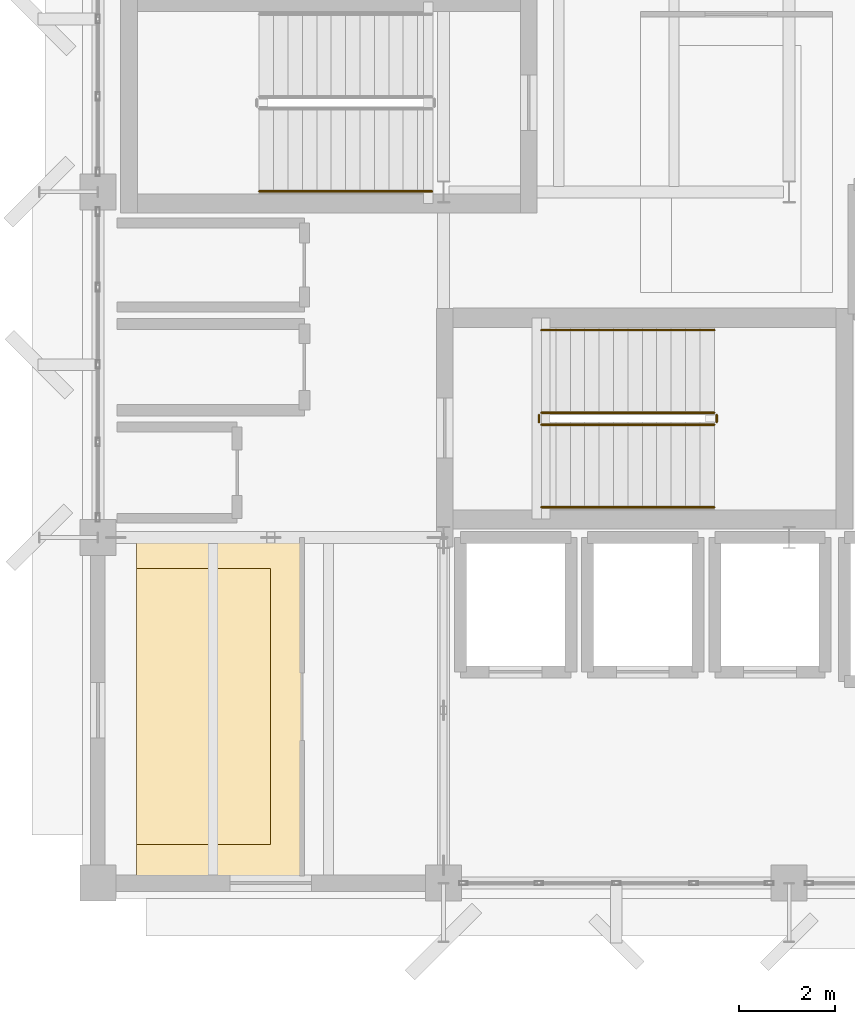
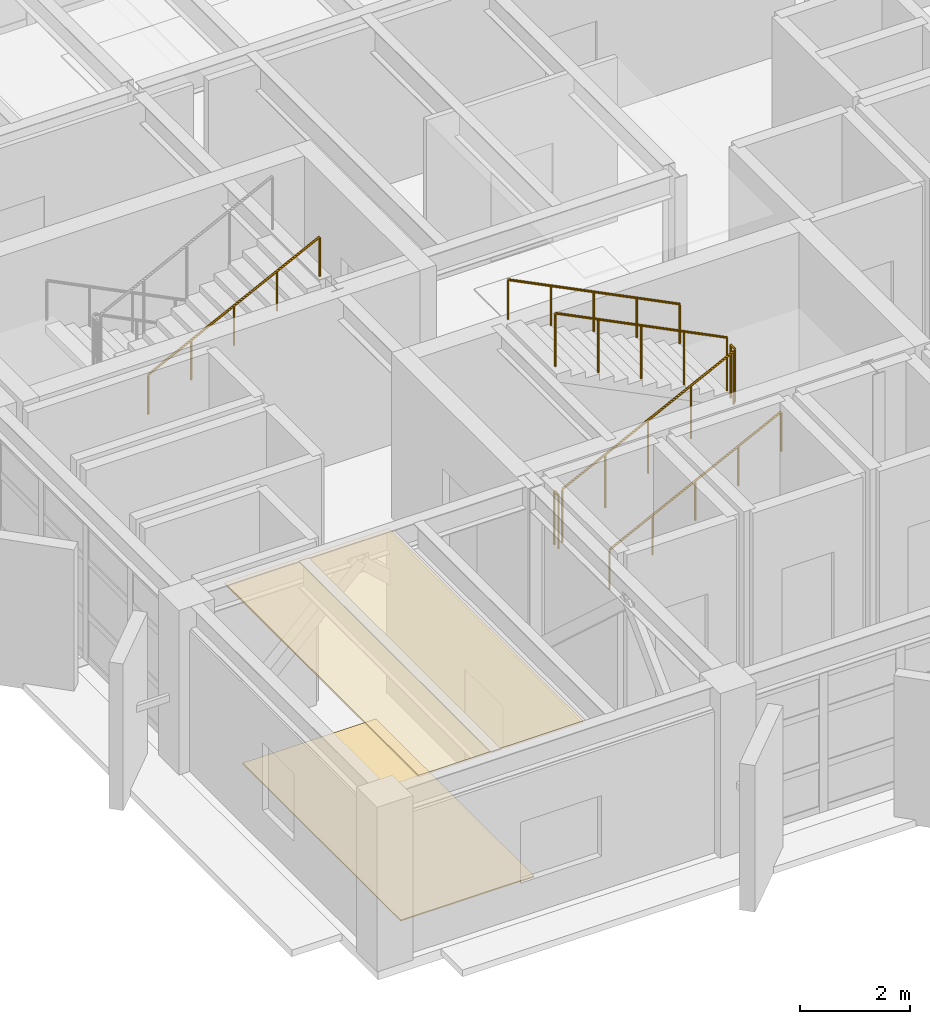
# One storey, part 21 of 24: 7 railings, 2 coverings.
"""IFC4 building model written with IfcOpenShell, lengths in metres."""

from ifc_helpers import new_model, si_unit, direction, frame, origin, origin_2d, place, context, subcontext, project, spatial, polyline, circle, outline, extrude, material, layer, layer_set, type_object, element, save


model = new_model("IFC4")

# Units and contexts
model_context = context("Model", 3, precision=1e-05, world=origin(), true_north=direction((0.0, 1.0)))
body_context = subcontext(model_context, "Body", "Model", "MODEL_VIEW")
ifc_project = project(units=[si_unit("LENGTHUNIT", "METRE"), si_unit("AREAUNIT", "SQUARE_METRE"), si_unit("VOLUMEUNIT", "CUBIC_METRE"), si_unit("PLANEANGLEUNIT", "RADIAN"), si_unit("MASSUNIT", "GRAM", prefix="KILO")], contexts=[model_context])

# Site, building, storey
site_placement = place(None, origin())
site = spatial("IfcSite", under=ifc_project, at=site_placement, CompositionType="ELEMENT")
building_placement = place(site_placement, origin())
building = spatial("IfcBuilding", under=site, at=building_placement, Name="Kandorven Conservatory and Botanical Research Centre", CompositionType="ELEMENT")
storey_placement = place(building_placement, frame((0.0, 0.0, 24.89990234375)))
storey = spatial("IfcBuildingStorey", under=building, at=storey_placement, Name="L06", CompositionType="ELEMENT", Elevation=24.89990234375)

# Coverings
ifc_material_1 = material(Name="Perforated mineral-fibre acoustic ceiling tile", Category="gypsum")
ifc_layer_1 = layer(ifc_material_1, 0.0400390625)
ifc_layer_set_1 = layer_set([ifc_layer_1], Name="Perforated mineral-fibre acoustic ceiling tile")
covering_type_1 = type_object("IfcCoveringType", Name="Cov_Ceiling_1", PredefinedType="CEILING", material=ifc_layer_set_1)
covering_1_placement = place(storey_placement, frame((0.0, 0.0, 3.590087890625)))
element("IfcCovering", 1, at=covering_1_placement, inside=storey, type_object=covering_type_1, Name="Suspended acoustic ceiling CLG-01 (Botanical Chemotaxonomy Research Laboratory L06)", PredefinedType="CEILING", context=body_context, shape_type="SweptSolid", body=[
    extrude(outline(polyline([(6.800048828125, 6.14990234375), (10.25, 6.14990234375), (10.25, 13.199951171875), (6.800048828125, 13.199951171875), (6.800048828125, 6.14990234375)])), origin(), (0.0, 0.0, 1.0), 0.0400390625),
])
ifc_material_2 = material(Name="Honed Kota stone and epoxy laboratory flooring", Category="masonry")
ifc_layer_2 = layer(ifc_material_2, 0.02490234375)
ifc_layer_set_2 = layer_set([ifc_layer_2], Name="Honed Kota stone and epoxy laboratory flooring")
covering_type_2 = type_object("IfcCoveringType", Name="Cov_Flooring_1", PredefinedType="FLOORING", material=ifc_layer_set_2)
covering_2_placement = place(storey_placement, origin())
element("IfcCovering", 2, at=covering_2_placement, inside=storey, type_object=covering_type_2, Name="Floor finish FLR-01 (Botanical Chemotaxonomy Research Laboratory L06)", PredefinedType="FLOORING", context=body_context, shape_type="SweptSolid", body=[
    extrude(outline(polyline([(6.800048828125, 6.800048828125), (9.60009765625, 6.800048828125), (9.60009765625, 12.550048828125), (6.800048828125, 12.550048828125), (6.800048828125, 6.800048828125)])), origin(), (0.0, 0.0, 1.0), 0.025146484375),
])

# Railings
ifc_material_3 = material(Name="Steel S355 (IS 2062 E350)", Category="steel")
railing_type_1 = type_object("IfcRailingType", Name="StairGuard_1150", PredefinedType="BALUSTRADE", material=ifc_material_3)
railing_1_placement = place(storey_placement, frame((15.239990234375, 15.550048828125, 0.150146484375)))
element("IfcRailing", 3, at=railing_1_placement, inside=storey, type_object=railing_type_1, Name="L06 ST-T1 stair guard 1", PredefinedType="BALUSTRADE", context=body_context, shape_type="SweptSolid", body=[
    extrude(circle(Radius=0.02392578125, at=origin_2d()), frame((0.0, 0.0, 1.17578125), z_axis=(0.894427191, 0.0, 0.4472135955), x_axis=(0.0, 1.0, 0.0)), (0.0, 0.0, 1.0), 4.025146484375),
    extrude(circle(Radius=0.02099609375, at=origin_2d()), origin(), (0.0, 0.0, 1.0), 1.15185546875),
    extrude(circle(Radius=0.02099609375, at=origin_2d()), frame((0.89990234375, 0.0, 0.449951171875)), (0.0, 0.0, 1.0), 1.15185546875),
    extrude(circle(Radius=0.02099609375, at=origin_2d()), frame((1.800048828125, 0.0, 0.89990234375)), (0.0, 0.0, 1.0), 1.15185546875),
    extrude(circle(Radius=0.02099609375, at=origin_2d()), frame((2.7001953125, 0.0, 1.35009765625)), (0.0, 0.0, 1.0), 1.15185546875),
    extrude(circle(Radius=0.02099609375, at=origin_2d()), frame((3.60009765625, 0.0, 1.800048828125)), (0.0, 0.0, 1.0), 1.15185546875),
])
railing_2_placement = place(storey_placement, frame((18.889892578125, 15.60009765625, 1.9501953125)))
element("IfcRailing", 4, at=railing_2_placement, inside=storey, type_object=railing_type_1, Name="L06 ST-T1 stair guard 2", PredefinedType="BALUSTRADE", context=body_context, shape_type="SweptSolid", body=[
    extrude(circle(Radius=0.02392578125, at=origin_2d()), frame((0.0, 0.0, 1.17578125), z_axis=(0.0, 1.0, 0.0), x_axis=(-1.0, 0.0, 0.0)), (0.0, 0.0, 1.0), 0.14990234375),
    extrude(circle(Radius=0.02099609375, at=origin_2d()), origin(), (0.0, 0.0, 1.0), 1.15185546875),
    extrude(circle(Radius=0.02099609375, at=origin_2d()), frame((0.0, 0.14990234375, 0.0)), (0.0, 0.0, 1.0), 1.15185546875),
])
railing_3_placement = place(storey_placement, frame((18.840087890625, 15.800048828125, 2.10009765625)))
element("IfcRailing", 5, at=railing_3_placement, inside=storey, type_object=railing_type_1, Name="L06 ST-T1 stair guard 3", PredefinedType="BALUSTRADE", context=body_context, shape_type="SweptSolid", body=[
    extrude(circle(Radius=0.02392578125, at=origin_2d()), frame((0.0, 0.0, 1.17578125), z_axis=(-0.894427191, 0.0, 0.4472135955), x_axis=(0.0, -1.0, 0.0)), (0.0, 0.0, 1.0), 4.025146484375),
    extrude(circle(Radius=0.02099609375, at=origin_2d()), origin(), (0.0, 0.0, 1.0), 1.15185546875),
    extrude(circle(Radius=0.02099609375, at=origin_2d()), frame((-0.89990234375, 0.0, 0.449951171875)), (0.0, 0.0, 1.0), 1.15185546875),
    extrude(circle(Radius=0.02099609375, at=origin_2d()), frame((-1.800048828125, 0.0, 0.89990234375)), (0.0, 0.0, 1.0), 1.15185546875),
    extrude(circle(Radius=0.02099609375, at=origin_2d()), frame((-2.7001953125, 0.0, 1.35009765625)), (0.0, 0.0, 1.0), 1.15185546875),
    extrude(circle(Radius=0.02099609375, at=origin_2d()), frame((-3.60009765625, 0.0, 1.800048828125)), (0.0, 0.0, 1.0), 1.15185546875),
])
railing_4_placement = place(storey_placement, frame((15.18994140625, 15.60009765625, 0.0)))
element("IfcRailing", 6, at=railing_4_placement, inside=storey, type_object=railing_type_1, Name="L06 ST-T1 stair guard 4", PredefinedType="BALUSTRADE", context=body_context, shape_type="SweptSolid", body=[
    extrude(circle(Radius=0.02392578125, at=origin_2d()), frame((0.0, 0.0, 1.17578125), z_axis=(0.0, 1.0, 0.0), x_axis=(-1.0, 0.0, 0.0)), (0.0, 0.0, 1.0), 0.14990234375),
    extrude(circle(Radius=0.02099609375, at=origin_2d()), origin(), (0.0, 0.0, 1.0), 1.15185546875),
    extrude(circle(Radius=0.02099609375, at=origin_2d()), frame((0.0, 0.14990234375, 0.0)), (0.0, 0.0, 1.0), 1.15185546875),
])
ifc_material_4 = material(Name="Steel S355 (IS 2062 E350)", Category="steel")
railing_type_2 = type_object("IfcRailingType", Name="StairHandrail_900", PredefinedType="HANDRAIL", material=ifc_material_4)
railing_5_placement = place(storey_placement, frame((15.239990234375, 13.830078125, 0.150146484375)))
element("IfcRailing", 7, at=railing_5_placement, inside=storey, type_object=railing_type_2, Name="L06 ST-T1 stair handrail 1", PredefinedType="HANDRAIL", context=body_context, shape_type="SweptSolid", body=[
    extrude(circle(Radius=0.02392578125, at=origin_2d()), frame((0.0, 0.0, 0.8759765625), z_axis=(0.894427191, 0.0, 0.4472135955), x_axis=(0.0, 1.0, 0.0)), (0.0, 0.0, 1.0), 4.025146484375),
    extrude(circle(Radius=0.02099609375, at=origin_2d()), origin(), (0.0, 0.0, 1.0), 0.851806640625),
    extrude(circle(Radius=0.02099609375, at=origin_2d()), frame((0.89990234375, 0.0, 0.449951171875)), (0.0, 0.0, 1.0), 0.851806640625),
    extrude(circle(Radius=0.02099609375, at=origin_2d()), frame((1.800048828125, 0.0, 0.89990234375)), (0.0, 0.0, 1.0), 0.851806640625),
    extrude(circle(Radius=0.02099609375, at=origin_2d()), frame((2.7001953125, 0.0, 1.35009765625)), (0.0, 0.0, 1.0), 0.851806640625),
    extrude(circle(Radius=0.02099609375, at=origin_2d()), frame((3.60009765625, 0.0, 1.800048828125)), (0.0, 0.0, 1.0), 0.851806640625),
])
railing_6_placement = place(storey_placement, frame((18.840087890625, 17.52001953125, 2.10009765625)))
element("IfcRailing", 8, at=railing_6_placement, inside=storey, type_object=railing_type_2, Name="L06 ST-T1 stair handrail 2", PredefinedType="HANDRAIL", context=body_context, shape_type="SweptSolid", body=[
    extrude(circle(Radius=0.02392578125, at=origin_2d()), frame((0.0, 0.0, 0.8759765625), z_axis=(-0.894427191, 0.0, 0.4472135955), x_axis=(0.0, -1.0, 0.0)), (0.0, 0.0, 1.0), 4.025146484375),
    extrude(circle(Radius=0.02099609375, at=origin_2d()), origin(), (0.0, 0.0, 1.0), 0.851806640625),
    extrude(circle(Radius=0.02099609375, at=origin_2d()), frame((-0.89990234375, 0.0, 0.449951171875)), (0.0, 0.0, 1.0), 0.851806640625),
    extrude(circle(Radius=0.02099609375, at=origin_2d()), frame((-1.800048828125, 0.0, 0.89990234375)), (0.0, 0.0, 1.0), 0.851806640625),
    extrude(circle(Radius=0.02099609375, at=origin_2d()), frame((-2.7001953125, 0.0, 1.35009765625)), (0.0, 0.0, 1.0), 0.851806640625),
    extrude(circle(Radius=0.02099609375, at=origin_2d()), frame((-3.60009765625, 0.0, 1.800048828125)), (0.0, 0.0, 1.0), 0.851806640625),
])
railing_7_placement = place(storey_placement, frame((9.360107421875, 20.409912109375, 2.10009765625)))
element("IfcRailing", 9, at=railing_7_placement, inside=storey, type_object=railing_type_2, Name="L06 ST-T2 stair handrail 2", PredefinedType="HANDRAIL", context=body_context, shape_type="SweptSolid", body=[
    extrude(circle(Radius=0.02392578125, at=origin_2d()), frame((0.0, 0.0, 0.8759765625), z_axis=(0.894415058897, 0.0, 0.447237858884), x_axis=(0.0, 1.0, 0.0)), (0.0, 0.0, 1.0), 4.02490234375),
    extrude(circle(Radius=0.02099609375, at=origin_2d()), origin(), (0.0, 0.0, 1.0), 0.851806640625),
    extrude(circle(Radius=0.02099609375, at=origin_2d()), frame((0.89990234375, 0.0, 0.449951171875)), (0.0, 0.0, 1.0), 0.851806640625),
    extrude(circle(Radius=0.02099609375, at=origin_2d()), frame((1.7998046875, 0.0, 0.89990234375)), (0.0, 0.0, 1.0), 0.851806640625),
    extrude(circle(Radius=0.02099609375, at=origin_2d()), frame((2.699951171875, 0.0, 1.35009765625)), (0.0, 0.0, 1.0), 0.851806640625),
    extrude(circle(Radius=0.02099609375, at=origin_2d()), frame((3.599853515625, 0.0, 1.800048828125)), (0.0, 0.0, 1.0), 0.851806640625),
])

save(model, "model.ifc")
